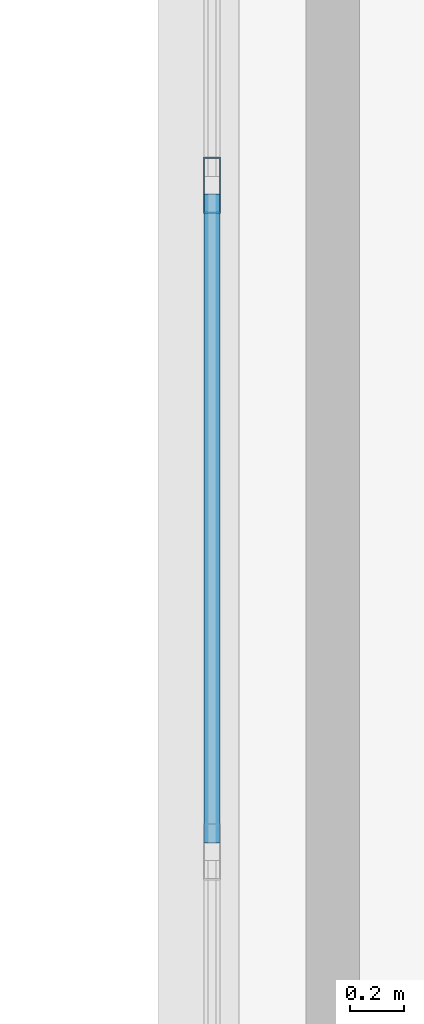
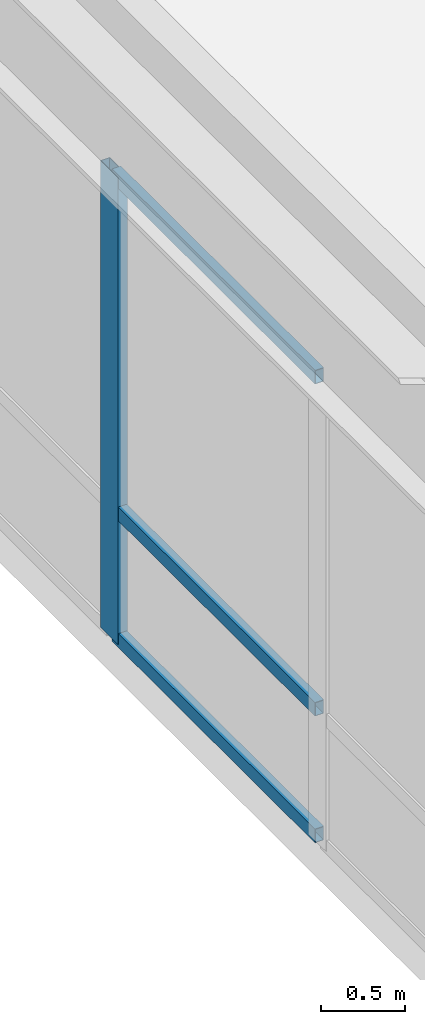
# One storey, part 78 of 115: 4 members, 1 element without a shape of its own.
"""IFC4 building model written with IfcOpenShell, lengths in metres."""

from ifc_helpers import new_model, si_unit, direction, frame, origin, origin_2d, place, context, subcontext, project, spatial, hollow_rectangle, extrude, material, layer, layer_set, material_profile, profile_set, type_object, element, aggregate, save


model = new_model("IFC4")

# Units and contexts
model_context = context("Model", 3, precision=1e-05, world=origin(), true_north=direction((0.0, 1.0)))
body_context = subcontext(model_context, "Body", "Model", "MODEL_VIEW")
ifc_project = project(units=[si_unit("LENGTHUNIT", "METRE"), si_unit("AREAUNIT", "SQUARE_METRE"), si_unit("VOLUMEUNIT", "CUBIC_METRE"), si_unit("PLANEANGLEUNIT", "RADIAN"), si_unit("MASSUNIT", "GRAM", prefix="KILO")], contexts=[model_context])

# Site, building, storey
site_placement = place(None, origin())
site = spatial("IfcSite", under=ifc_project, at=site_placement, CompositionType="ELEMENT")
building_placement = place(site_placement, origin())
building = spatial("IfcBuilding", under=site, at=building_placement, Name="Montelvaro Courts of Justice", CompositionType="ELEMENT")
storey_placement = place(building_placement, frame((0.0, 0.0, 9.89990234375)))
storey = spatial("IfcBuildingStorey", under=building, at=storey_placement, Name="L02", CompositionType="ELEMENT", Elevation=9.89990234375)

# Curtain wall, members
ifc_material = material(Name="Anodised aluminium EN AW-6063", Category="aluminium")
ifc_layer = layer(ifc_material, 0.159912109375)
ifc_layer_set = layer_set([ifc_layer], Name="Anodised aluminium EN AW-6063")
curtain_wall_type = type_object("IfcCurtainWallType", Name="CurtainWall_27_1737x418", PredefinedType="USERDEFINED", material=ifc_layer_set)
curtain_wall_placement = place(storey_placement, origin())
curtain_wall = element("IfcCurtainWall", 1, at=curtain_wall_placement, inside=storey, type_object=curtain_wall_type, Name="Curtain Wall CW-27 (L02)", ObjectType="CURTAIN WALL", PredefinedType="USERDEFINED")
ifc_material_profile_1 = material_profile(ifc_material, hollow_rectangle(XDim=0.06494140625, YDim=0.2099609375, WallThickness=0.0048828125, at=origin_2d()), Name="ALU-M 65x210")
ifc_profile_set_1 = profile_set([ifc_material_profile_1], Name="Anodised aluminium EN AW-6063")
member_type_1 = type_object("IfcMemberType", Name="CurtainWall_Mullion_65x210", PredefinedType="MULLION", material=ifc_profile_set_1)
member_1_placement = place(storey_placement, frame((99.050048828125, 85.75927734375, 0.0), z_axis=(0.0, 0.0, 1.0), x_axis=(1.0, 0.0, 0.0)))
member_1 = element("IfcMember", 2, at=member_1_placement, type_object=member_type_1, Name="CW-27 mullion 5", PredefinedType="MULLION", context=body_context, shape_type="SweptSolid", body=[
    extrude(hollow_rectangle(XDim=0.06494140625, YDim=0.2099609375, WallThickness=0.0048828125, at=origin_2d()), origin(), (0.0, 0.0, 1.0), 3.39501953125),
])
ifc_material_profile_2 = material_profile(ifc_material, hollow_rectangle(XDim=0.06005859375, YDim=0.10009765625, WallThickness=0.00341796875, at=origin_2d()), Name="ALU-T 60x100")
ifc_profile_set_2 = profile_set([ifc_material_profile_2], Name="Anodised aluminium EN AW-6063")
member_type_2 = type_object("IfcMemberType", Name="CurtainWall_Transom_60x100", PredefinedType="USERDEFINED", material=ifc_profile_set_2)
member_2_placement = place(storey_placement, frame((99.050048828125, 85.726806640625, 0.030029296875), z_axis=(0.0, -1.0, 0.0), x_axis=(1.0, 0.0, 0.0)))
member_2 = element("IfcMember", 3, at=member_2_placement, type_object=member_type_2, Name="CW-27 transom 5.1", ObjectType="TRANSOM", PredefinedType="USERDEFINED", context=body_context, shape_type="SweptSolid", body=[
    extrude(hollow_rectangle(XDim=0.06005859375, YDim=0.10009765625, WallThickness=0.00341796875, at=origin_2d()), origin(), (0.0, 0.0, 1.0), 2.41650390625),
])
member_3_placement = place(storey_placement, frame((99.050048828125, 85.726806640625, 0.9501953125), z_axis=(0.0, -1.0, 0.0), x_axis=(1.0, 0.0, 0.0)))
member_3 = element("IfcMember", 4, at=member_3_placement, type_object=member_type_2, Name="CW-27 transom 5.2", ObjectType="TRANSOM", PredefinedType="USERDEFINED", context=body_context, shape_type="SweptSolid", body=[
    extrude(hollow_rectangle(XDim=0.06005859375, YDim=0.10009765625, WallThickness=0.00341796875, at=origin_2d()), origin(), (0.0, 0.0, 1.0), 2.41650390625),
])
member_4_placement = place(storey_placement, frame((99.050048828125, 85.726806640625, 3.364990234375), z_axis=(0.0, -1.0, 0.0), x_axis=(1.0, 0.0, 0.0)))
member_4 = element("IfcMember", 5, at=member_4_placement, type_object=member_type_2, Name="CW-27 transom 5.3", ObjectType="TRANSOM", PredefinedType="USERDEFINED", context=body_context, shape_type="SweptSolid", body=[
    extrude(hollow_rectangle(XDim=0.06005859375, YDim=0.10009765625, WallThickness=0.00341796875, at=origin_2d()), origin(), (0.0, 0.0, 1.0), 2.41650390625),
])
aggregate(curtain_wall, [member_1, member_2, member_3, member_4])

save(model, "model.ifc")
